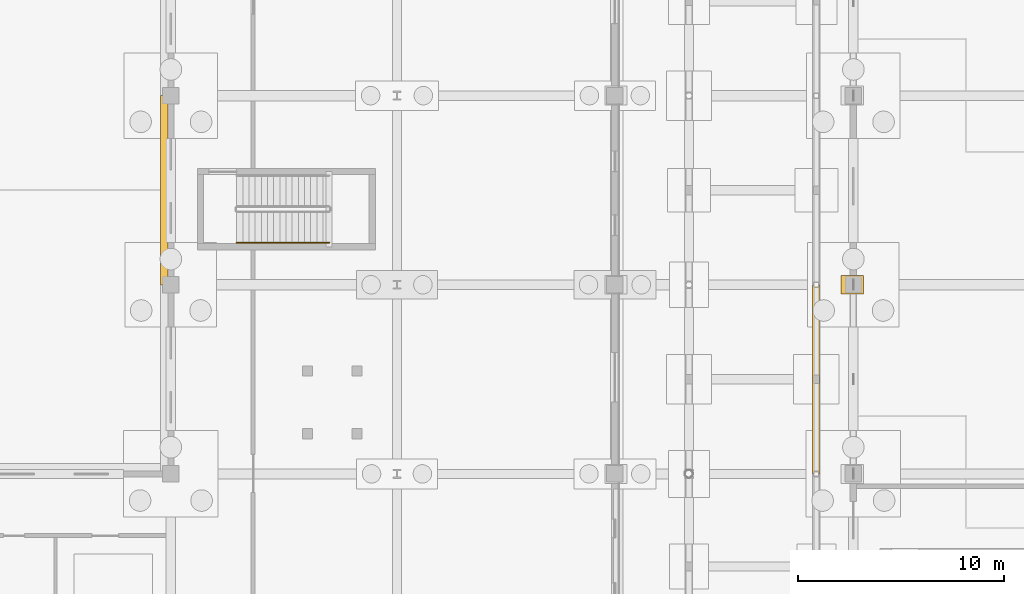
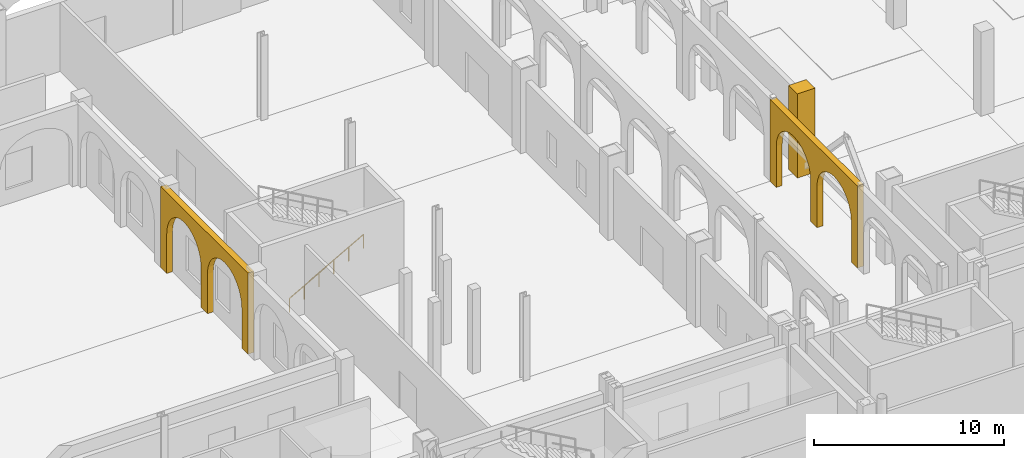
# One storey, part 76 of 83: 3 coverings, 1 railing.
"""IFC4 building model written with IfcOpenShell, lengths in metres."""

from ifc_helpers import new_model, si_unit, direction, frame, origin, origin_2d, place, context, subcontext, project, spatial, polyline, rectangle, circle, outline, extrude, material, layer, layer_set, type_object, element, save


model = new_model("IFC4")

# Units and contexts
model_context = context("Model", 3, precision=1e-05, world=origin(), true_north=direction((0.0, 1.0)))
body_context = subcontext(model_context, "Body", "Model", "MODEL_VIEW")
ifc_project = project(units=[si_unit("LENGTHUNIT", "METRE"), si_unit("AREAUNIT", "SQUARE_METRE"), si_unit("VOLUMEUNIT", "CUBIC_METRE"), si_unit("PLANEANGLEUNIT", "RADIAN"), si_unit("MASSUNIT", "GRAM", prefix="KILO")], contexts=[model_context])

# Site, building, storey
site_placement = place(None, origin())
site = spatial("IfcSite", under=ifc_project, at=site_placement, CompositionType="ELEMENT")
building_placement = place(site_placement, origin())
building = spatial("IfcBuilding", under=site, at=building_placement, Name="Caurita Quay Ferry Terminal", CompositionType="ELEMENT")
storey_placement = place(building_placement, origin())
storey = spatial("IfcBuildingStorey", under=building, at=storey_placement, Name="L00", CompositionType="ELEMENT", Elevation=0.0)

# Coverings
ifc_material_1 = material(Name="Warm-white lime stucco masonry", Category="masonry")
ifc_layer_1 = layer(ifc_material_1, 0.360107421875, Name="Spanish Colonial semicircular lime-stucco portales arcade 360 mm")
ifc_layer_set_1 = layer_set([ifc_layer_1], Name="Warm-white lime stucco masonry")
covering_type_1 = type_object("IfcCoveringType", Name="COV-ARC-CLD", PredefinedType="CLADDING", material=ifc_layer_set_1)
covering_1_placement = place(storey_placement, frame((97.39990234375, 80.199951171875, 0.0), z_axis=(0.0, 0.0, 1.0), x_axis=(0.0, 1.0, 0.0)))
element("IfcCovering", 1, at=covering_1_placement, inside=storey, type_object=covering_type_1, Name="Forecourt Portico Semicircular Arcade 035", PredefinedType="CLADDING", context=body_context, shape_type="SweptSolid", body=[
    extrude(outline(polyline([(0.0, 0.0), (0.64990234375, 0.0), (0.64990234375, 2.64990234375), (0.711669921875, 3.10302734375), (0.892822265625, 3.52490234375), (1.180908203125, 3.887451171875), (1.55615234375, 4.16552734375), (1.993408203125, 4.34033203125), (2.46240234375, 4.39990234375), (2.931640625, 4.34033203125), (3.36865234375, 4.16552734375), (3.744140625, 3.887451171875), (4.0322265625, 3.52490234375), (4.213134765625, 3.10302734375), (4.27490234375, 2.64990234375), (4.27490234375, 0.0), (4.925048828125, 0.0), (4.925048828125, 2.64990234375), (4.98681640625, 3.10302734375), (5.167724609375, 3.52490234375), (5.455810546875, 3.887451171875), (5.831298828125, 4.16552734375), (6.268310546875, 4.34033203125), (6.737548828125, 4.39990234375), (7.20654296875, 4.34033203125), (7.643798828125, 4.16552734375), (8.01904296875, 3.887451171875), (8.30712890625, 3.52490234375), (8.48828125, 3.10302734375), (8.550048828125, 2.64990234375), (8.550048828125, 0.0), (9.199951171875, 0.0), (9.199951171875, 5.260009765625), (0.0, 5.260009765625), (0.0, 0.0)])), frame((0.0, 0.18017578125, 0.0), z_axis=(0.0, -1.0, 0.0), x_axis=(1.0, 0.0, 0.0)), (0.0, 0.0, 1.0), 0.360107421875),
])
covering_2_placement = place(storey_placement, frame((65.679931640625, 98.60009765625, 0.0), z_axis=(0.0, 0.0, 1.0), x_axis=(0.0, -1.0, 0.0)))
element("IfcCovering", 2, at=covering_2_placement, inside=storey, type_object=covering_type_1, Name="L00 Courtyard East Cloister Arcade 050", PredefinedType="CLADDING", context=body_context, shape_type="SweptSolid", body=[
    extrude(outline(polyline([(0.0, 0.0), (0.64990234375, 0.0), (0.64990234375, 2.550048828125), (0.711669921875, 3.02880859375), (0.892822265625, 3.47509765625), (1.180908203125, 3.858154296875), (1.55615234375, 4.152099609375), (1.993408203125, 4.3369140625), (2.462646484375, 4.39990234375), (2.931640625, 4.3369140625), (3.368896484375, 4.152099609375), (3.744140625, 3.858154296875), (4.0322265625, 3.47509765625), (4.21337890625, 3.02880859375), (4.275146484375, 2.550048828125), (4.275146484375, 0.0), (4.925048828125, 0.0), (4.925048828125, 2.550048828125), (4.98681640625, 3.02880859375), (5.16796875, 3.47509765625), (5.4560546875, 3.858154296875), (5.831298828125, 4.152099609375), (6.2685546875, 4.3369140625), (6.737548828125, 4.39990234375), (7.206787109375, 4.3369140625), (7.64404296875, 4.152099609375), (8.019287109375, 3.858154296875), (8.307373046875, 3.47509765625), (8.488525390625, 3.02880859375), (8.55029296875, 2.550048828125), (8.55029296875, 0.0), (9.2001953125, 0.0), (9.2001953125, 5.199951171875), (0.0, 5.199951171875), (0.0, 0.0)])), frame((0.0, 0.18017578125, 0.0), z_axis=(0.0, -1.0, 0.0), x_axis=(1.0, 0.0, 0.0)), (0.0, 0.0, 1.0), 0.360107421875),
])
ifc_layer_2 = layer(ifc_material_1, 0.179931640625, Name="Classical engaged lime-stucco facade pilaster cladding 180 mm")
ifc_layer_set_2 = layer_set([ifc_layer_2], Name="Warm-white lime stucco masonry")
covering_type_2 = type_object("IfcCoveringType", Name="COV-PIL-CLD", PredefinedType="CLADDING", material=ifc_layer_set_2)
covering_3_placement = place(storey_placement, frame((99.14990234375, 89.39990234375, 0.0), z_axis=(0.0, 0.0, 1.0), x_axis=(1.0, 0.0, 0.0)))
element("IfcCovering", 3, at=covering_3_placement, inside=storey, type_object=covering_type_2, Name="L00 Classical Engaged Pilaster 0212", PredefinedType="CLADDING", context=body_context, shape_type="SweptSolid", body=[
    extrude(rectangle(XDim=1.080078125, YDim=0.919921875, at=origin_2d()), origin(), (0.0, 0.0, 1.0), 5.39990234375),
])

# Railing
ifc_material_2 = material(Name="Bronze architectural metalwork", Category="metal")
railing_type = type_object("IfcRailingType", Name="RL-HND-090", PredefinedType="HANDRAIL", material=ifc_material_2)
railing_placement = place(storey_placement, frame((69.199951171875, 91.449951171875, 0.168701171875)))
element("IfcRailing", 4, at=railing_placement, inside=storey, type_object=railing_type, Name="L00 ST-04 stair handrail 1", PredefinedType="HANDRAIL", context=body_context, shape_type="SweptSolid", body=[
    extrude(circle(Radius=0.02392578125, at=origin_2d()), frame((0.0, 0.0, 0.8759765625), z_axis=(0.871575537125, 0.0, 0.490261239633), x_axis=(0.0, 1.0, 0.0)), (0.0, 0.0, 1.0), 5.1630859375),
    extrude(circle(Radius=0.02099609375, at=origin_2d()), origin(), (0.0, 0.0, 1.0), 0.851806640625),
    extrude(circle(Radius=0.02099609375, at=origin_2d()), frame((0.89990234375, 0.0, 0.50634765625)), (0.0, 0.0, 1.0), 0.851806640625),
    extrude(circle(Radius=0.02099609375, at=origin_2d()), frame((1.800048828125, 0.0, 1.012451171875)), (0.0, 0.0, 1.0), 0.851806640625),
    extrude(circle(Radius=0.02099609375, at=origin_2d()), frame((2.699951171875, 0.0, 1.518798828125)), (0.0, 0.0, 1.0), 0.851806640625),
    extrude(circle(Radius=0.02099609375, at=origin_2d()), frame((3.60009765625, 0.0, 2.02490234375)), (0.0, 0.0, 1.0), 0.851806640625),
    extrude(circle(Radius=0.02099609375, at=origin_2d()), frame((4.5, 0.0, 2.53125)), (0.0, 0.0, 1.0), 0.851806640625),
])

save(model, "model.ifc")
